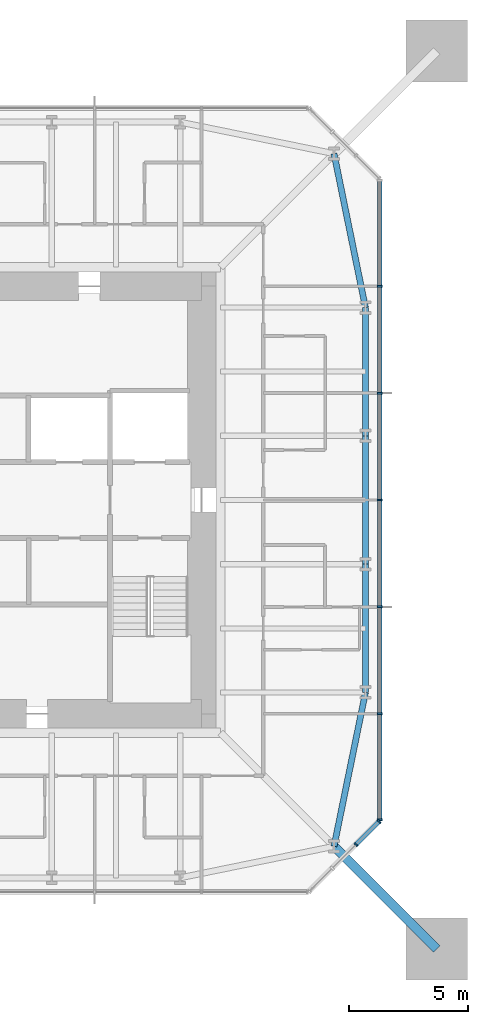
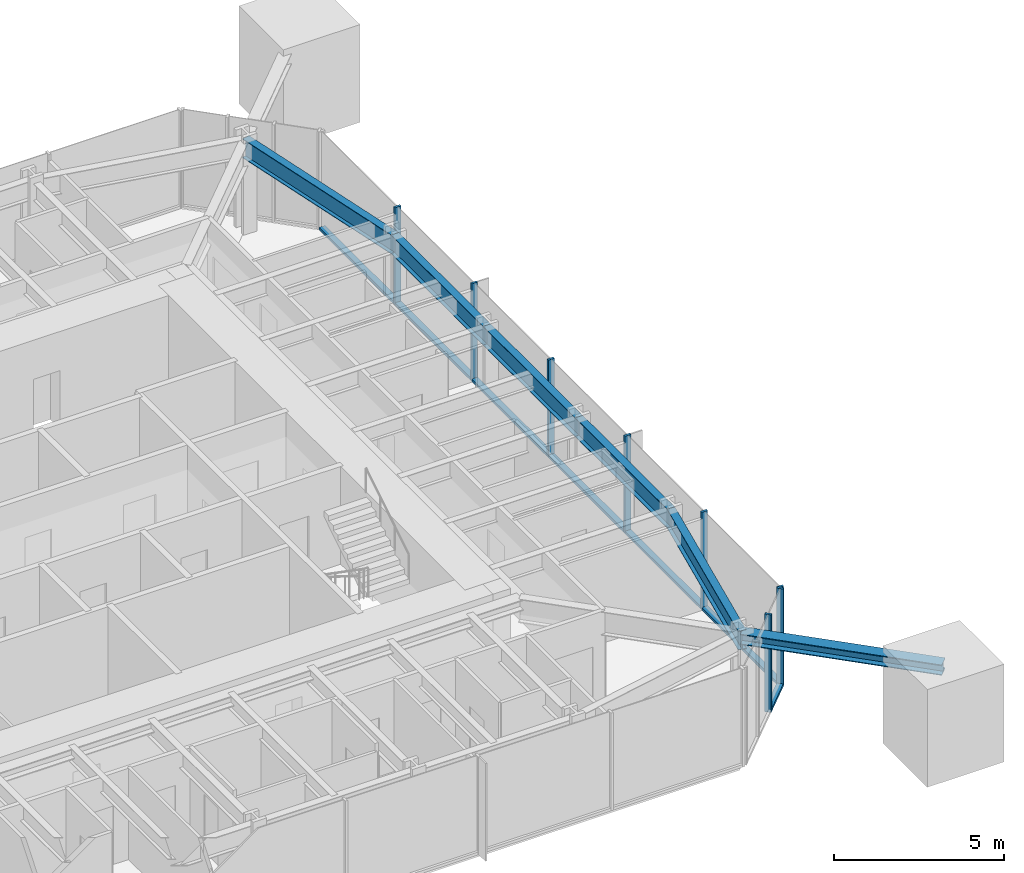
# One storey, part 3 of 10: 16 members, 5 beams, 2 elements without a shape of their own.
"""IFC4 building model written with IfcOpenShell, lengths in metres."""

from ifc_helpers import new_model, si_unit, direction, frame, origin, origin_2d, place, context, subcontext, project, spatial, rectangle, i_section, extrude, material, material_profile, profile_set, type_object, element, aggregate, save


model = new_model("IFC4")

# Units and contexts
model_context = context("Model", 3, precision=1e-05, world=origin(), true_north=direction((0.0, 1.0)))
body_context = subcontext(model_context, "Body", "Model", "MODEL_VIEW")
ifc_project = project(units=[si_unit("LENGTHUNIT", "METRE"), si_unit("AREAUNIT", "SQUARE_METRE"), si_unit("VOLUMEUNIT", "CUBIC_METRE"), si_unit("PLANEANGLEUNIT", "RADIAN"), si_unit("MASSUNIT", "GRAM", prefix="KILO")], contexts=[model_context])

# Site, building, storey
site_placement = place(None, origin())
site = spatial("IfcSite", under=ifc_project, at=site_placement, CompositionType="ELEMENT")
building_placement = place(site_placement, origin())
building = spatial("IfcBuilding", under=site, at=building_placement, Name="Iwan Alto Co-Living Towers", CompositionType="ELEMENT")
storey_placement = place(building_placement, frame((0.0, 0.0, 225.5)))
storey = spatial("IfcBuildingStorey", under=building, at=storey_placement, Name="L61", CompositionType="ELEMENT", Elevation=225.5)

# Curtain wall, members
ifc_material_1 = material(Name="Bronze aluminium unitised frame", Category="aluminium")
curtain_wall_type_1 = type_object("IfcCurtainWallType", Name="CURTAIN WALL CW-A", PredefinedType="NOTDEFINED", material=ifc_material_1)
curtain_wall_1_placement = place(storey_placement, origin())
curtain_wall_1 = element("IfcCurtainWall", 1, at=curtain_wall_1_placement, inside=storey, type_object=curtain_wall_type_1, Name="T1 curtain wall E L61", PredefinedType="NOTDEFINED")
ifc_material_2 = material(Name="Aluminium 6063-T6 bronze anodised", Category="aluminium")
ifc_material_profile_1 = material_profile(ifc_material_2, rectangle(XDim=0.199951171875, YDim=0.080078125, at=origin_2d()), Name="AL 80X200")
ifc_profile_set_1 = profile_set([ifc_material_profile_1], Name="Aluminium 6063-T6 bronze anodised")
member_type_1 = type_object("IfcMemberType", Name="CW-A MULLION 80X200", PredefinedType="MULLION", material=ifc_profile_set_1)
member_1_placement = place(storey_placement, frame((16.5, -13.4599609375, 0.0), z_axis=(0.0, 0.0, 1.0), x_axis=(-1.0, 0.0, 0.0)))
member_1 = element("IfcMember", 2, at=member_1_placement, type_object=member_type_1, Name="CW-A mullion 1", PredefinedType="MULLION", context=body_context, shape_type="SweptSolid", body=[
    extrude(rectangle(XDim=0.199951171875, YDim=0.080078125, at=origin_2d()), origin(), (0.0, 0.0, 1.0), 3.5),
])
member_2_placement = place(storey_placement, frame((16.5, -9.0, 0.0), z_axis=(0.0, 0.0, 1.0), x_axis=(-1.0, 0.0, 0.0)))
member_2 = element("IfcMember", 3, at=member_2_placement, type_object=member_type_1, Name="CW-A mullion 2", PredefinedType="MULLION", context=body_context, shape_type="SweptSolid", body=[
    extrude(rectangle(XDim=0.199951171875, YDim=0.080078125, at=origin_2d()), origin(), (0.0, 0.0, 1.0), 3.5),
])
member_3_placement = place(storey_placement, frame((16.5, -4.5, 0.0), z_axis=(0.0, 0.0, 1.0), x_axis=(-1.0, 0.0, 0.0)))
member_3 = element("IfcMember", 4, at=member_3_placement, type_object=member_type_1, Name="CW-A mullion 3", PredefinedType="MULLION", context=body_context, shape_type="SweptSolid", body=[
    extrude(rectangle(XDim=0.199951171875, YDim=0.080078125, at=origin_2d()), origin(), (0.0, 0.0, 1.0), 3.5),
])
member_4_placement = place(storey_placement, frame((16.5, 0.0, 0.0), z_axis=(0.0, 0.0, 1.0), x_axis=(-1.0, 0.0, 0.0)))
member_4 = element("IfcMember", 5, at=member_4_placement, type_object=member_type_1, Name="CW-A mullion 4", PredefinedType="MULLION", context=body_context, shape_type="SweptSolid", body=[
    extrude(rectangle(XDim=0.199951171875, YDim=0.080078125, at=origin_2d()), origin(), (0.0, 0.0, 1.0), 3.5),
])
member_5_placement = place(storey_placement, frame((16.5, 4.5, 0.0), z_axis=(0.0, 0.0, 1.0), x_axis=(-1.0, 0.0, 0.0)))
member_5 = element("IfcMember", 6, at=member_5_placement, type_object=member_type_1, Name="CW-A mullion 5", PredefinedType="MULLION", context=body_context, shape_type="SweptSolid", body=[
    extrude(rectangle(XDim=0.199951171875, YDim=0.080078125, at=origin_2d()), origin(), (0.0, 0.0, 1.0), 3.5),
])
member_6_placement = place(storey_placement, frame((16.5, 9.0, 0.0), z_axis=(0.0, 0.0, 1.0), x_axis=(-1.0, 0.0, 0.0)))
member_6 = element("IfcMember", 7, at=member_6_placement, type_object=member_type_1, Name="CW-A mullion 6", PredefinedType="MULLION", context=body_context, shape_type="SweptSolid", body=[
    extrude(rectangle(XDim=0.199951171875, YDim=0.080078125, at=origin_2d()), origin(), (0.0, 0.0, 1.0), 3.5),
])
ifc_material_3 = material(Name="Aluminium 6063-T6 bronze anodised", Category="aluminium")
ifc_material_profile_2 = material_profile(ifc_material_3, rectangle(XDim=0.199951171875, YDim=0.10009765625, at=origin_2d()), Name="AL 200X100")
ifc_profile_set_2 = profile_set([ifc_material_profile_2], Name="Aluminium 6063-T6 bronze anodised")
member_type_2 = type_object("IfcMemberType", Name="CW-A TRANSOM 200X100", PredefinedType="USERDEFINED", material=ifc_profile_set_2)
member_7_placement = place(storey_placement, frame((16.5, -13.419921875, 0.050048828125), z_axis=(0.0, 1.0, 0.0), x_axis=(-1.0, 0.0, 0.0)))
member_7 = element("IfcMember", 8, at=member_7_placement, type_object=member_type_2, Name="CW-A transom 1.1", ObjectType="TRANSOM", PredefinedType="USERDEFINED", context=body_context, shape_type="SweptSolid", body=[
    extrude(rectangle(XDim=0.199951171875, YDim=0.10009765625, at=origin_2d()), origin(), (0.0, 0.0, 1.0), 4.3798828125),
])
member_8_placement = place(storey_placement, frame((16.5, -8.9599609375, 0.050048828125), z_axis=(0.0, 1.0, 0.0), x_axis=(-1.0, 0.0, 0.0)))
member_8 = element("IfcMember", 9, at=member_8_placement, type_object=member_type_2, Name="CW-A transom 2.1", ObjectType="TRANSOM", PredefinedType="USERDEFINED", context=body_context, shape_type="SweptSolid", body=[
    extrude(rectangle(XDim=0.199951171875, YDim=0.10009765625, at=origin_2d()), origin(), (0.0, 0.0, 1.0), 4.419921875),
])
member_9_placement = place(storey_placement, frame((16.5, -4.4599609375, 0.050048828125), z_axis=(0.0, 1.0, 0.0), x_axis=(-1.0, 0.0, 0.0)))
member_9 = element("IfcMember", 10, at=member_9_placement, type_object=member_type_2, Name="CW-A transom 3.1", ObjectType="TRANSOM", PredefinedType="USERDEFINED", context=body_context, shape_type="SweptSolid", body=[
    extrude(rectangle(XDim=0.199951171875, YDim=0.10009765625, at=origin_2d()), origin(), (0.0, 0.0, 1.0), 4.419921875),
])
member_10_placement = place(storey_placement, frame((16.5, 0.0400390625, 0.050048828125), z_axis=(0.0, 1.0, 0.0), x_axis=(-1.0, 0.0, 0.0)))
member_10 = element("IfcMember", 11, at=member_10_placement, type_object=member_type_2, Name="CW-A transom 4.1", ObjectType="TRANSOM", PredefinedType="USERDEFINED", context=body_context, shape_type="SweptSolid", body=[
    extrude(rectangle(XDim=0.199951171875, YDim=0.10009765625, at=origin_2d()), origin(), (0.0, 0.0, 1.0), 4.419921875),
])
member_11_placement = place(storey_placement, frame((16.5, 4.5400390625, 0.050048828125), z_axis=(0.0, 1.0, 0.0), x_axis=(-1.0, 0.0, 0.0)))
member_11 = element("IfcMember", 12, at=member_11_placement, type_object=member_type_2, Name="CW-A transom 5.1", ObjectType="TRANSOM", PredefinedType="USERDEFINED", context=body_context, shape_type="SweptSolid", body=[
    extrude(rectangle(XDim=0.199951171875, YDim=0.10009765625, at=origin_2d()), origin(), (0.0, 0.0, 1.0), 4.419921875),
])
member_12_placement = place(storey_placement, frame((16.5, 9.0400390625, 0.050048828125), z_axis=(0.0, 1.0, 0.0), x_axis=(-1.0, 0.0, 0.0)))
member_12 = element("IfcMember", 13, at=member_12_placement, type_object=member_type_2, Name="CW-A transom 6.1", ObjectType="TRANSOM", PredefinedType="USERDEFINED", context=body_context, shape_type="SweptSolid", body=[
    extrude(rectangle(XDim=0.199951171875, YDim=0.10009765625, at=origin_2d()), origin(), (0.0, 0.0, 1.0), 4.3798828125),
])
aggregate(curtain_wall_1, [member_1, member_2, member_3, member_4, member_5, member_6, member_7, member_8, member_9, member_10, member_11, member_12])

ifc_material_4 = material(Name="Bronze aluminium unitised frame", Category="aluminium")
curtain_wall_type_2 = type_object("IfcCurtainWallType", Name="CURTAIN WALL CW-B", PredefinedType="NOTDEFINED", material=ifc_material_4)
curtain_wall_2_placement = place(storey_placement, origin())
curtain_wall_2 = element("IfcCurtainWall", 14, at=curtain_wall_2_placement, inside=storey, type_object=curtain_wall_type_2, Name="T1 chamfer curtain wall SE L61", PredefinedType="NOTDEFINED")
ifc_material_5 = material(Name="Aluminium 6063-T6 bronze anodised", Category="aluminium")
ifc_material_profile_3 = material_profile(ifc_material_5, rectangle(XDim=0.199951171875, YDim=0.080078125, at=origin_2d()), Name="AL 80X200")
ifc_profile_set_3 = profile_set([ifc_material_profile_3], Name="Aluminium 6063-T6 bronze anodised")
member_type_3 = type_object("IfcMemberType", Name="CW-B MULLION 80X200", PredefinedType="MULLION", material=ifc_profile_set_3)
member_13_placement = place(storey_placement, frame((15.5, -14.5, 0.0), z_axis=(0.0, 0.0, 1.0), x_axis=(-0.707106781187, 0.707106781187, 0.0)))
member_13 = element("IfcMember", 15, at=member_13_placement, type_object=member_type_3, Name="CW-B mullion 3", PredefinedType="MULLION", context=body_context, shape_type="SweptSolid", body=[
    extrude(rectangle(XDim=0.199951171875, YDim=0.080078125, at=origin_2d()), origin(), (0.0, 0.0, 1.0), 3.5),
])
member_14_placement = place(storey_placement, frame((16.4716796875, -13.5283203125, 0.0), z_axis=(0.0, 0.0, 1.0), x_axis=(-0.707106781187, 0.707106781187, 0.0)))
member_14 = element("IfcMember", 16, at=member_14_placement, type_object=member_type_3, Name="CW-B mullion 4", PredefinedType="MULLION", context=body_context, shape_type="SweptSolid", body=[
    extrude(rectangle(XDim=0.199951171875, YDim=0.080078125, at=origin_2d()), origin(), (0.0, 0.0, 1.0), 3.5),
])
ifc_material_6 = material(Name="Aluminium 6063-T6 bronze anodised", Category="aluminium")
ifc_material_profile_4 = material_profile(ifc_material_6, rectangle(XDim=0.199951171875, YDim=0.10009765625, at=origin_2d()), Name="AL 200X100")
ifc_profile_set_4 = profile_set([ifc_material_profile_4], Name="Aluminium 6063-T6 bronze anodised")
member_type_4 = type_object("IfcMemberType", Name="CW-B TRANSOM 200X100", PredefinedType="USERDEFINED", material=ifc_profile_set_4)
member_15_placement = place(storey_placement, frame((15.5283203125, -14.4716796875, 0.050048828125), z_axis=(0.707106781187, 0.707106781187, 0.0), x_axis=(-0.707106781187, 0.707106781187, 0.0)))
member_15 = element("IfcMember", 17, at=member_15_placement, type_object=member_type_4, Name="CW-B transom 3.1", ObjectType="TRANSOM", PredefinedType="USERDEFINED", context=body_context, shape_type="SweptSolid", body=[
    extrude(rectangle(XDim=0.199951171875, YDim=0.10009765625, at=origin_2d()), origin(), (0.0, 0.0, 1.0), 1.2939453125),
])
aggregate(curtain_wall_2, [member_13, member_14, member_15])

# Beams
ifc_material_7 = material(Name="Steel ASTM A992 Gr 50", Category="steel")
ifc_material_profile_5 = material_profile(ifc_material_7, i_section(OverallWidth=0.25390625, OverallDepth=0.683349609375, WebThickness=0.012451171875, FlangeThickness=0.018798828125, at=origin_2d()), Name="W27X94")
ifc_profile_set_5 = profile_set([ifc_material_profile_5], Name="Steel ASTM A992 Gr 50")
beam_type = type_object("IfcBeamType", Name="T1 EDGE BEAM W27X94", PredefinedType="BEAM", material=ifc_profile_set_5)
beam_1_placement = place(storey_placement, frame((14.57568359375, -14.57568359375, 2.928466796875), z_axis=(0.200347889618, 0.979724820103, 0.0), x_axis=(-0.979724820103, 0.200347889618, 0.0)))
element("IfcBeam", 18, at=beam_1_placement, inside=storey, type_object=beam_type, Name="T1 edge beam CSE L62", PredefinedType="BEAM", context=body_context, shape_type="SweptSolid", body=[
    extrude(i_section(OverallWidth=0.25390625, OverallDepth=0.683349609375, WebThickness=0.012451171875, FlangeThickness=0.018798828125, at=origin_2d()), origin(), (0.0, 0.0, 1.0), 6.609619140625),
])
beam_2_placement = place(storey_placement, frame((15.89990234375, -8.10009765625, 2.928466796875), z_axis=(0.0, 1.0, 0.0), x_axis=(-1.0, 0.0, 0.0)))
element("IfcBeam", 19, at=beam_2_placement, inside=storey, type_object=beam_type, Name="T1 edge beam E1 L62", PredefinedType="BEAM", context=body_context, shape_type="SweptSolid", body=[
    extrude(i_section(OverallWidth=0.25390625, OverallDepth=0.683349609375, WebThickness=0.012451171875, FlangeThickness=0.018798828125, at=origin_2d()), origin(), (0.0, 0.0, 1.0), 5.400146484375),
])
beam_3_placement = place(storey_placement, frame((15.89990234375, -2.699951171875, 2.928466796875), z_axis=(0.0, 1.0, 0.0), x_axis=(-1.0, 0.0, 0.0)))
element("IfcBeam", 20, at=beam_3_placement, inside=storey, type_object=beam_type, Name="T1 edge beam E2 L62", PredefinedType="BEAM", context=body_context, shape_type="SweptSolid", body=[
    extrude(i_section(OverallWidth=0.25390625, OverallDepth=0.683349609375, WebThickness=0.012451171875, FlangeThickness=0.018798828125, at=origin_2d()), origin(), (0.0, 0.0, 1.0), 5.39990234375),
])
beam_4_placement = place(storey_placement, frame((15.89990234375, 2.699951171875, 2.928466796875), z_axis=(0.0, 1.0, 0.0), x_axis=(-1.0, 0.0, 0.0)))
element("IfcBeam", 21, at=beam_4_placement, inside=storey, type_object=beam_type, Name="T1 edge beam E3 L62", PredefinedType="BEAM", context=body_context, shape_type="SweptSolid", body=[
    extrude(i_section(OverallWidth=0.25390625, OverallDepth=0.683349609375, WebThickness=0.012451171875, FlangeThickness=0.018798828125, at=origin_2d()), origin(), (0.0, 0.0, 1.0), 5.400146484375),
])
beam_5_placement = place(storey_placement, frame((15.89990234375, 8.10009765625, 2.928466796875), z_axis=(-0.200347889618, 0.979724820103, 0.0), x_axis=(-0.979724820103, -0.200347889618, 0.0)))
element("IfcBeam", 22, at=beam_5_placement, inside=storey, type_object=beam_type, Name="T1 edge beam E4 L62", PredefinedType="BEAM", context=body_context, shape_type="SweptSolid", body=[
    extrude(i_section(OverallWidth=0.25390625, OverallDepth=0.683349609375, WebThickness=0.012451171875, FlangeThickness=0.018798828125, at=origin_2d()), origin(), (0.0, 0.0, 1.0), 6.609619140625),
])

# Member
ifc_material_8 = material(Name="Steel ASTM A992 Gr 50", Category="steel")
ifc_material_profile_6 = material_profile(ifc_material_8, i_section(OverallWidth=0.393798828125, OverallDepth=0.3759765625, WebThickness=0.017333984375, FlangeThickness=0.027587890625, at=origin_2d()), Name="W14X145")
ifc_profile_set_6 = profile_set([ifc_material_profile_6], Name="Steel ASTM A992 Gr 50")
member_type_5 = type_object("IfcMemberType", Name="T1 MEGA COLUMN FLOOR TIE W14X145", PredefinedType="STRUT", material=ifc_profile_set_6)
member_16_placement = place(storey_placement, frame((18.89990234375, -18.89990234375, 3.08203125), z_axis=(-0.707106781187, 0.707106781187, 0.0), x_axis=(-0.707106781187, -0.707106781187, 0.0)))
element("IfcMember", 23, at=member_16_placement, inside=storey, type_object=member_type_5, Name="T1 mega column floor tie SE L62", PredefinedType="STRUT", context=body_context, shape_type="SweptSolid", body=[
    extrude(i_section(OverallWidth=0.393798828125, OverallDepth=0.3759765625, WebThickness=0.017333984375, FlangeThickness=0.027587890625, at=origin_2d()), origin(), (0.0, 0.0, 1.0), 6.115478515625),
])

save(model, "model.ifc")
